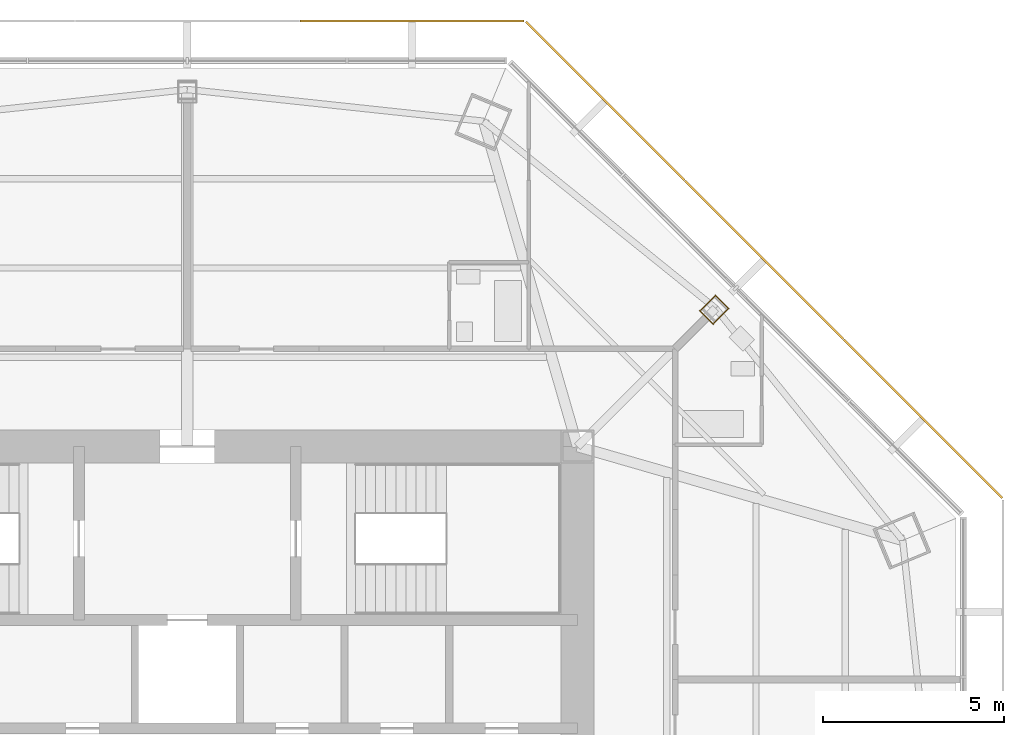
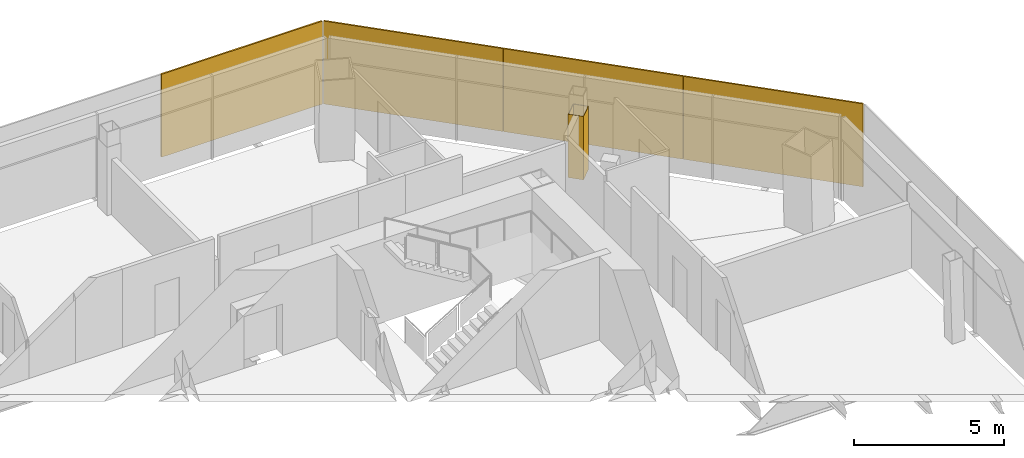
# One storey, part 14 of 15: 4 shading devices, 1 covering.
"""IFC4 building model written with IfcOpenShell, lengths in metres."""

from ifc_helpers import new_model, si_unit, direction, frame, origin, origin_2d, place, context, subcontext, project, spatial, polyline, rectangle, outline, extrude, source, transform, mapped, material, layer, layer_set, type_object, type_shapes, element, save


model = new_model("IFC4")

# Units and contexts
model_context = context("Model", 3, precision=1e-05, world=origin(), true_north=direction((0.0, 1.0)))
body_context = subcontext(model_context, "Body", "Model", "MODEL_VIEW")
ifc_project = project(units=[si_unit("LENGTHUNIT", "METRE"), si_unit("AREAUNIT", "SQUARE_METRE"), si_unit("VOLUMEUNIT", "CUBIC_METRE"), si_unit("PLANEANGLEUNIT", "RADIAN"), si_unit("MASSUNIT", "GRAM", prefix="KILO")], contexts=[model_context])

# Site, building, storey
site_placement = place(None, origin())
site = spatial("IfcSite", under=ifc_project, at=site_placement, CompositionType="ELEMENT")
building_placement = place(site_placement, origin())
building = spatial("IfcBuilding", under=site, at=building_placement, Name="Mashrafa Tower", CompositionType="ELEMENT")
storey_placement = place(building_placement, frame((0.0, 0.0, 231.199951171875)))
storey = spatial("IfcBuildingStorey", under=building, at=storey_placement, Name="L54", CompositionType="ELEMENT", Elevation=231.199951171875)

# Covering
ifc_material_1 = material(Name="Gypsum board")
ifc_layer_1 = layer(ifc_material_1, 0.014892578125)
ifc_layer_set_1 = layer_set([ifc_layer_1], Name="Column casing plasterboard 15")
covering_type = type_object("IfcCoveringType", Name="Column casing plasterboard 15", PredefinedType="CLADDING", material=ifc_layer_set_1)
covering_placement = place(storey_placement, origin())
element("IfcCovering", 1, at=covering_placement, inside=storey, type_object=covering_type, Name="Column casing L54-001", PredefinedType="CLADDING", context=body_context, shape_type="SweptSolid", body=[
    extrude(outline(polyline([(14.17626953125, 14.55078125), (14.619140625, 14.993896484375), (14.993896484375, 14.619140625), (14.55078125, 14.17626953125), (14.17626953125, 14.55078125)]), holes=[polyline([(14.97265625, 14.619140625), (14.619140625, 14.97265625), (14.197509765625, 14.55078125), (14.55078125, 14.197509765625), (14.97265625, 14.619140625)])]), origin(), (0.0, 0.0, 1.0), 2.5830078125),
])

# Shading devices
ifc_material_2 = material(Name="Perforated aluminium plate, eight-point star pattern", Category="aluminium")
ifc_layer_2 = layer(ifc_material_2, 0.06005859375)
ifc_layer_set_2 = layer_set([ifc_layer_2], Name="Mashrabiya screen panel apartment zone 3, 28 percent open")
shading_device_type = type_object("IfcShadingDeviceType", Name="Mashrabiya screen panel apartment zone 3, 28 percent open", PredefinedType="SHUTTER", material=ifc_layer_set_2)
shared_shape = source(origin(), body_context, "Body", "SweptSolid", [
    extrude(rectangle(XDim=6.19873046875, YDim=0.06005859375, at=origin_2d()), origin(), (0.0, 0.0, 1.0), 3.3798828125),
])
type_shapes(shading_device_type, [shared_shape])
for number, where, z_axis, x_axis, name in (
    (2, (20.35986328125, 11.565185546875, -0.14990234375), (0.0, 0.0, 1.0), (-0.707106781187, 0.707106781187, 0.0), "Mashrabiya screen L54 north-east 1"),
    (3, (15.96240234375, 15.96240234375, -0.14990234375), (0.0, 0.0, 1.0), (-0.707106781187, 0.707106781187, 0.0), "Mashrabiya screen L54 north-east 2"),
    (4, (11.565185546875, 20.35986328125, -0.14990234375), (0.0, 0.0, 1.0), (-0.707106781187, 0.707106781187, 0.0), "Mashrabiya screen L54 north-east 3"),
    (5, (6.21875, 22.574462890625, -0.14990234375), (0.0, 0.0, 1.0), (-1.0, 0.0, 0.0), "Mashrabiya screen L54 north 1"),
):
    element("IfcShadingDevice", number, at=place(storey_placement, frame(where, z_axis=z_axis, x_axis=x_axis)), inside=storey, type_object=shading_device_type, Name=name, PredefinedType="SHUTTER", context=body_context, shape_type="MappedRepresentation", body=[
        mapped(shared_shape, transform((0.0, 0.0, 0.0))),
    ])

save(model, "model.ifc")
